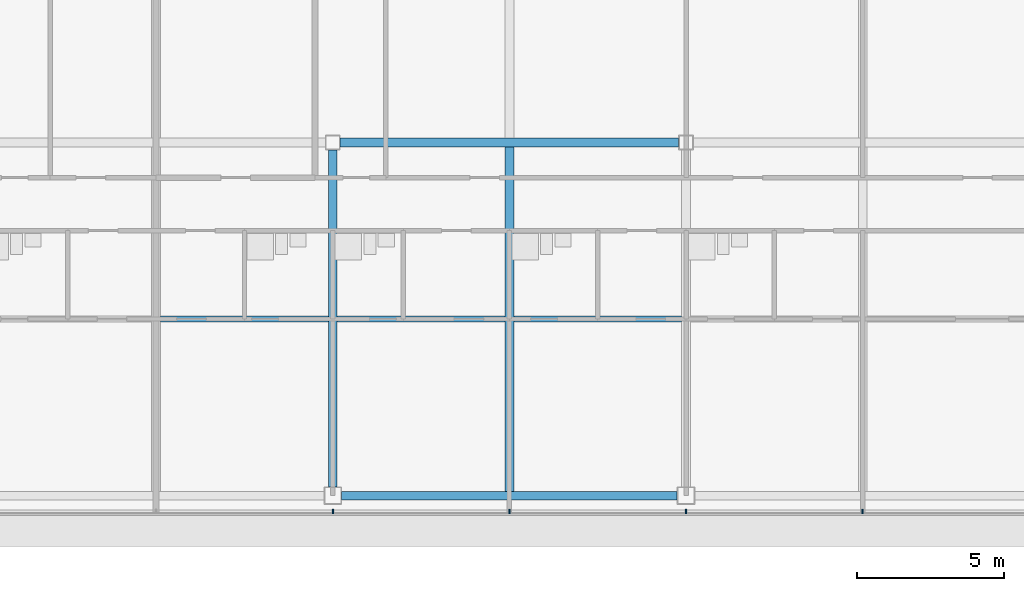
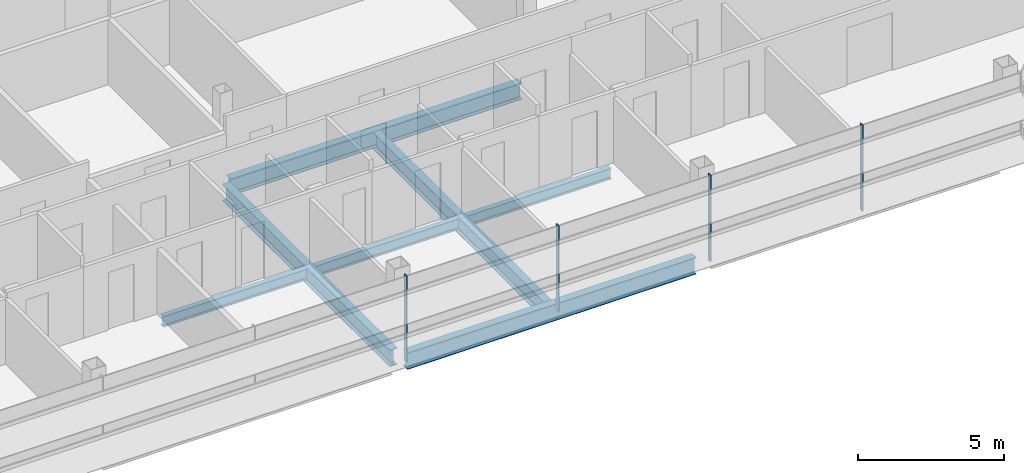
# One storey, part 9 of 28: 7 beams, 4 members, 1 element without a shape of its own.
"""IFC4 building model written with IfcOpenShell, lengths in metres."""

from ifc_helpers import new_model, si_unit, direction, frame, origin, origin_2d, place, context, subcontext, project, spatial, rectangle, i_section, extrude, material, material_profile, profile_set, type_object, element, aggregate, save


model = new_model("IFC4")

# Units and contexts
model_context = context("Model", 3, precision=1e-05, world=origin(), true_north=direction((0.0, 1.0)))
body_context = subcontext(model_context, "Body", "Model", "MODEL_VIEW")
ifc_project = project(units=[si_unit("LENGTHUNIT", "METRE"), si_unit("AREAUNIT", "SQUARE_METRE"), si_unit("VOLUMEUNIT", "CUBIC_METRE"), si_unit("PLANEANGLEUNIT", "RADIAN"), si_unit("MASSUNIT", "GRAM", prefix="KILO")], contexts=[model_context])

# Site, building, storey
site_placement = place(None, origin())
site = spatial("IfcSite", under=ifc_project, at=site_placement, CompositionType="ELEMENT")
building_placement = place(site_placement, origin())
building = spatial("IfcBuilding", under=site, at=building_placement, Name="Sorahane Residences", CompositionType="ELEMENT")
storey_placement = place(building_placement, frame((0.0, 0.0, 250.39990234375)))
storey = spatial("IfcBuildingStorey", under=building, at=storey_placement, Name="L59", CompositionType="ELEMENT", Elevation=250.39990234375)

# Curtain wall, members
ifc_material_1 = material(Name="Dark low-e glass and black anodised aluminium", Category="aluminium")
curtain_wall_type = type_object("IfcCurtainWallType", Name="Curtain wall CW-1 Typical unitised wall", PredefinedType="NOTDEFINED", material=ifc_material_1)
curtain_wall_placement = place(storey_placement, origin())
curtain_wall = element("IfcCurtainWall", 1, at=curtain_wall_placement, inside=storey, type_object=curtain_wall_type, Name="CW-1 curtain wall L59 S1", PredefinedType="NOTDEFINED")
ifc_material_2 = material(Name="Black anodised aluminium", Category="aluminium")
ifc_material_profile_1 = material_profile(ifc_material_2, rectangle(XDim=0.159912109375, YDim=0.050048828125, at=origin_2d()), Name="Curtain wall mullion CW-1 black anodised aluminium 50x160")
ifc_profile_set_1 = profile_set([ifc_material_profile_1], Name="Black anodised aluminium")
member_type = type_object("IfcMemberType", Name="Curtain wall mullion CW-1 black anodised aluminium 50x160", PredefinedType="MULLION", material=ifc_profile_set_1)
member_1_placement = place(storey_placement, frame((24.0, -0.5400390625, -0.179931640625), z_axis=(0.0, 0.0, 1.0), x_axis=(0.0, -1.0, 0.0)))
member_1 = element("IfcMember", 2, at=member_1_placement, type_object=member_type, Name="CW-1 mullion L59 S1.6", PredefinedType="MULLION", context=body_context, shape_type="SweptSolid", body=[
    extrude(rectangle(XDim=0.159912109375, YDim=0.050048828125, at=origin_2d()), origin(), (0.0, 0.0, 1.0), 3.60009765625),
])
member_2_placement = place(storey_placement, frame((30.0, -0.5400390625, -0.179931640625), z_axis=(0.0, 0.0, 1.0), x_axis=(0.0, -1.0, 0.0)))
member_2 = element("IfcMember", 3, at=member_2_placement, type_object=member_type, Name="CW-1 mullion L59 S1.7", PredefinedType="MULLION", context=body_context, shape_type="SweptSolid", body=[
    extrude(rectangle(XDim=0.159912109375, YDim=0.050048828125, at=origin_2d()), origin(), (0.0, 0.0, 1.0), 3.60009765625),
])
member_3_placement = place(storey_placement, frame((36.0, -0.5400390625, -0.179931640625), z_axis=(0.0, 0.0, 1.0), x_axis=(0.0, -1.0, 0.0)))
member_3 = element("IfcMember", 4, at=member_3_placement, type_object=member_type, Name="CW-1 mullion L59 S1.8", PredefinedType="MULLION", context=body_context, shape_type="SweptSolid", body=[
    extrude(rectangle(XDim=0.159912109375, YDim=0.050048828125, at=origin_2d()), origin(), (0.0, 0.0, 1.0), 3.60009765625),
])
member_4_placement = place(storey_placement, frame((42.0, -0.5400390625, -0.179931640625), z_axis=(0.0, 0.0, 1.0), x_axis=(0.0, -1.0, 0.0)))
member_4 = element("IfcMember", 5, at=member_4_placement, type_object=member_type, Name="CW-1 mullion L59 S1.9", PredefinedType="MULLION", context=body_context, shape_type="SweptSolid", body=[
    extrude(rectangle(XDim=0.159912109375, YDim=0.050048828125, at=origin_2d()), origin(), (0.0, 0.0, 1.0), 3.60009765625),
])
aggregate(curtain_wall, [member_1, member_2, member_3, member_4])

# Beams
ifc_material_3 = material(Name="Steel Q355B", Category="steel")
ifc_material_profile_2 = material_profile(ifc_material_3, i_section(OverallWidth=0.199951171875, OverallDepth=0.449951171875, WebThickness=0.009033203125, FlangeThickness=0.013916015625, FilletRadius=0.02001953125, at=origin_2d()), Name="HN 450x200x9x14")
ifc_profile_set_2 = profile_set([ifc_material_profile_2], Name="Steel Q355B")
beam_type_1 = type_object("IfcBeamType", Name="Steel floor beam HN 450x200x9x14 Q355B", PredefinedType="BEAM", material=ifc_profile_set_2)
for number, where, z_axis, x_axis, name in (
    (6, (18.14990234375, 6.0, -0.40478515625), (1.0, 0.0, 0.0), (0.0, 1.0, 0.0), "Beam L59 072"),
    (7, (24.14990234375, 6.0, -0.40478515625), (1.0, 0.0, 0.0), (0.0, 1.0, 0.0), "Beam L59 073"),
    (8, (30.14990234375, 6.0, -0.40478515625), (1.0, 0.0, 0.0), (0.0, 1.0, 0.0), "Beam L59 074"),
):
    element("IfcBeam", number, at=place(storey_placement, frame(where, z_axis=z_axis, x_axis=x_axis)), inside=storey, type_object=beam_type_1, Name=name, PredefinedType="BEAM", context=body_context, shape_type="SweptSolid", body=[
        extrude(i_section(OverallWidth=0.199951171875, OverallDepth=0.449951171875, WebThickness=0.009033203125, FlangeThickness=0.013916015625, FilletRadius=0.02001953125, at=origin_2d()), origin(), (0.0, 0.0, 1.0), 5.7001953125),
    ])
ifc_material_4 = material(Name="Steel Q355B", Category="steel")
ifc_material_profile_3 = material_profile(ifc_material_4, i_section(OverallWidth=0.300048828125, OverallDepth=0.699951171875, WebThickness=0.012939453125, FlangeThickness=0.02392578125, FilletRadius=0.028076171875, at=origin_2d()), Name="HN 700x300x13x24")
ifc_profile_set_3 = profile_set([ifc_material_profile_3], Name="Steel Q355B")
beam_type_2 = type_object("IfcBeamType", Name="Steel floor beam HN 700x300x13x24 Q355B", PredefinedType="BEAM", material=ifc_profile_set_3)
beam_1_placement = place(storey_placement, frame((24.300048828125, 0.0, -0.52978515625), z_axis=(1.0, 0.0, 0.0), x_axis=(0.0, 1.0, 0.0)))
element("IfcBeam", 9, at=beam_1_placement, inside=storey, type_object=beam_type_2, Name="Beam L59 003", PredefinedType="BEAM", context=body_context, shape_type="SweptSolid", body=[
    extrude(i_section(OverallWidth=0.300048828125, OverallDepth=0.699951171875, WebThickness=0.012939453125, FlangeThickness=0.02392578125, FilletRadius=0.028076171875, at=origin_2d()), origin(), (0.0, 0.0, 1.0), 11.39990234375),
])
beam_2_placement = place(storey_placement, frame((24.25, 12.0, -0.52978515625), z_axis=(1.0, 0.0, 0.0), x_axis=(0.0, 1.0, 0.0)))
element("IfcBeam", 10, at=beam_2_placement, inside=storey, type_object=beam_type_2, Name="Beam L59 008", PredefinedType="BEAM", context=body_context, shape_type="SweptSolid", body=[
    extrude(i_section(OverallWidth=0.300048828125, OverallDepth=0.699951171875, WebThickness=0.012939453125, FlangeThickness=0.02392578125, FilletRadius=0.028076171875, at=origin_2d()), origin(), (0.0, 0.0, 1.0), 11.5),
])
beam_3_placement = place(storey_placement, frame((24.0, 0.300048828125, -0.52978515625), z_axis=(0.0, 1.0, 0.0), x_axis=(-1.0, 0.0, 0.0)))
element("IfcBeam", 11, at=beam_3_placement, inside=storey, type_object=beam_type_2, Name="Beam L59 042", PredefinedType="BEAM", context=body_context, shape_type="SweptSolid", body=[
    extrude(i_section(OverallWidth=0.300048828125, OverallDepth=0.699951171875, WebThickness=0.012939453125, FlangeThickness=0.02392578125, FilletRadius=0.028076171875, at=origin_2d()), origin(), (0.0, 0.0, 1.0), 11.449951171875),
])
beam_4_placement = place(storey_placement, frame((30.0, 0.14990234375, -0.52978515625), z_axis=(0.0, 1.0, 0.0), x_axis=(-1.0, 0.0, 0.0)))
element("IfcBeam", 12, at=beam_4_placement, inside=storey, type_object=beam_type_2, Name="Beam L59 044", PredefinedType="BEAM", context=body_context, shape_type="SweptSolid", body=[
    extrude(i_section(OverallWidth=0.300048828125, OverallDepth=0.699951171875, WebThickness=0.012939453125, FlangeThickness=0.02392578125, FilletRadius=0.028076171875, at=origin_2d()), origin(), (0.0, 0.0, 1.0), 11.7001953125),
])

save(model, "model.ifc")
